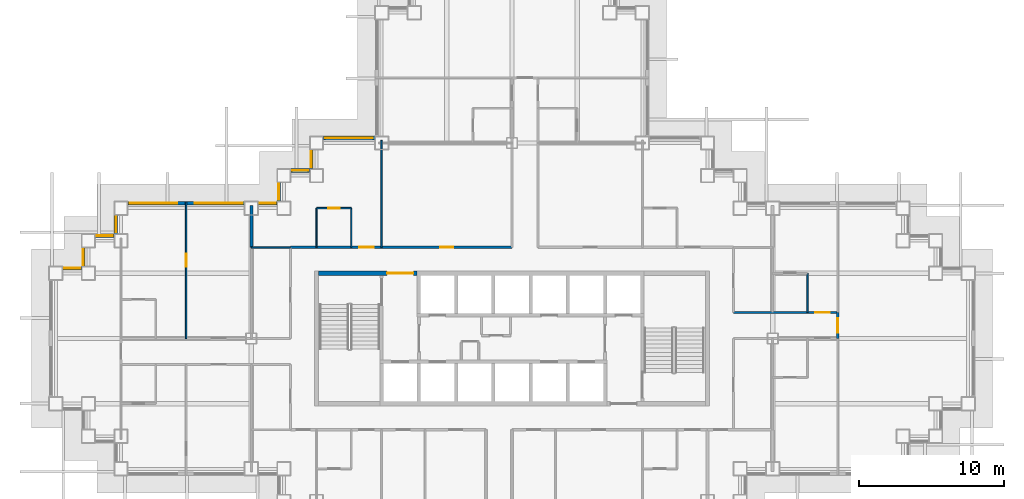
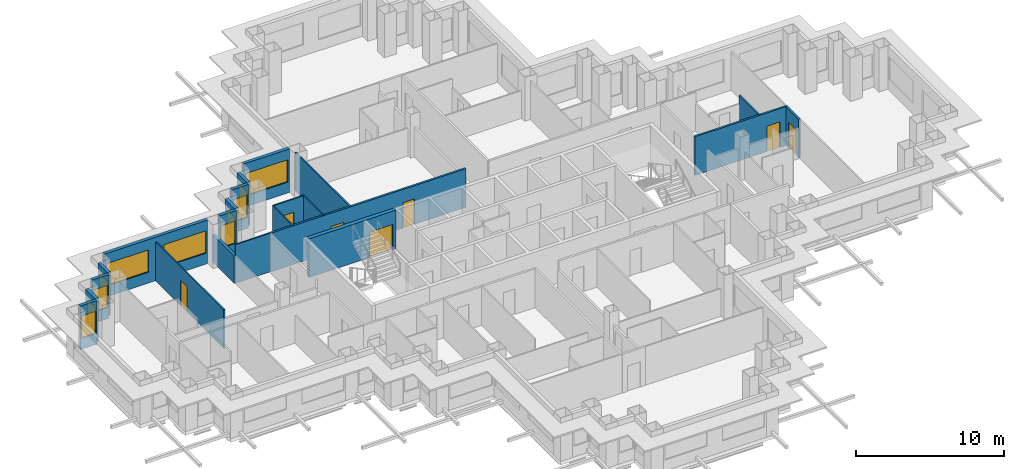
# One storey, part 7 of 15: 22 walls, 11 windows, 7 doors, 18 openings.
"""IFC4 building model written with IfcOpenShell, lengths in metres."""

from ifc_helpers import new_model, si_unit, direction, frame, frame_2d, origin, place, context, subcontext, project, spatial, rectangle, extrude, material, layer, layer_set, type_object, element, fill, save


model = new_model("IFC4")

# Units and contexts
model_context = context("Model", 3, precision=1e-05, world=origin(), true_north=direction((0.0, 1.0)))
body_context = subcontext(model_context, "Body", "Model", "MODEL_VIEW")
ifc_project = project(units=[si_unit("LENGTHUNIT", "METRE"), si_unit("AREAUNIT", "SQUARE_METRE"), si_unit("VOLUMEUNIT", "CUBIC_METRE"), si_unit("PLANEANGLEUNIT", "RADIAN"), si_unit("MASSUNIT", "GRAM", prefix="KILO")], contexts=[model_context])

# Site, building, storey
site_placement = place(None, origin())
site = spatial("IfcSite", under=ifc_project, at=site_placement, CompositionType="ELEMENT")
building_placement = place(site_placement, origin())
building = spatial("IfcBuilding", under=site, at=building_placement, Name="Caravel Reach Hotel and Residences", CompositionType="ELEMENT")
storey_placement = place(building_placement, frame((0.0, 0.0, 92.39990234375)))
storey = spatial("IfcBuildingStorey", under=building, at=storey_placement, Name="L22", CompositionType="ELEMENT", Elevation=92.39990234375)

# Wall, opening, door
ifc_material_1 = material(Name="Gypsum board on steel stud", Category="steel")
ifc_layer_1 = layer(ifc_material_1, 0.10009765625)
ifc_layer_set_1 = layer_set([ifc_layer_1], Name="Bathroom pod wall 100 mm")
wall_type_1 = type_object("IfcWallType", Name="Bathroom pod wall 100 mm", PredefinedType="PARTITIONING", material=ifc_layer_set_1)
wall_1_placement = place(storey_placement, frame((18.0, 36.0, 0.0), z_axis=(0.0, 0.0, 1.0), x_axis=(1.0, 0.0, 0.0)))
wall_1 = element("IfcWall", 1, at=wall_1_placement, inside=storey, type_object=wall_type_1, Name="L22 wall w079", PredefinedType="PARTITIONING", context=body_context, shape_type="SweptSolid", body=[
    extrude(rectangle(XDim=2.39990234375, YDim=0.10009765625, at=frame_2d((1.199951171875, 0.0))), origin(), (0.0, 0.0, 1.0), 3.2001953125),
])
opening_1_placement = place(wall_1_placement, frame((0.800048828125, 0.0, 0.0)))
opening_1 = element("IfcOpeningElement", 2, at=opening_1_placement, cuts=wall_1, Name="Opening D22-039", PredefinedType="OPENING", context=body_context, shape_type="SweptSolid", body=[
    extrude(rectangle(XDim=0.800048828125, YDim=2.10009765625, at=frame_2d((0.39990234375, 1.050048828125))), frame((0.0, 0.06005859375, 0.0), z_axis=(0.0, -1.0, 0.0), x_axis=(1.0, 0.0, 0.0)), (0.0, 0.0, 1.0), 0.1201171875),
])
ifc_material_2 = material(Name="Timber and steel door leaf", Category="steel")
door_type_1 = type_object("IfcDoorType", Name="Bathroom door 800 x 2100", OperationType="SINGLE_SWING_LEFT", PredefinedType="DOOR", material=ifc_material_2)
door_1_placement = place(opening_1_placement, origin())
door_1 = element("IfcDoor", 3, at=door_1_placement, inside=storey, type_object=door_type_1, Name="door D22-039", OperationType="SINGLE_SWING_LEFT", OverallHeight=2.10009765625, OverallWidth=0.800048828125, PredefinedType="DOOR", context=body_context, shape_type="SweptSolid", body=[
    extrude(rectangle(XDim=0.800048828125, YDim=2.10009765625, at=frame_2d((0.39990234375, 1.050048828125))), frame((0.0, 0.02490234375, 0.0), z_axis=(0.0, -1.0, 0.0), x_axis=(1.0, 0.0, 0.0)), (0.0, 0.0, 1.0), 0.050048828125),
])
fill(opening_1, door_1)

# Walls
for number, where, z_axis, x_axis, name in (
    (4, (18.0, 33.300048828125, 0.0), (0.0, 0.0, 1.0), (0.0, 1.0, 0.0), "L22 wall w083"),
    (5, (20.39990234375, 33.300048828125, 0.0), (0.0, 0.0, 1.0), (0.0, 1.0, 0.0), "L22 wall w084"),
    (6, (51.89990234375, 28.800048828125, 0.0), (0.0, 0.0, 1.0), (0.0, 1.0, 0.0), "L22 wall w092"),
):
    element("IfcWall", number, at=place(storey_placement, frame(where, z_axis=z_axis, x_axis=x_axis)), inside=storey, type_object=wall_type_1, Name=name, PredefinedType="PARTITIONING", context=body_context, shape_type="SweptSolid", body=[
        extrude(rectangle(XDim=2.699951171875, YDim=0.10009765625, at=frame_2d((1.35009765625, 0.0))), origin(), (0.0, 0.0, 1.0), 3.2001953125),
    ])

# Wall, opening, door
ifc_material_3 = material(Name="Concrete C60", Category="concrete")
ifc_layer_2 = layer(ifc_material_3, 0.300048828125)
ifc_layer_set_2 = layer_set([ifc_layer_2], Name="Core wall 300 mm EI 120")
wall_type_2 = type_object("IfcWallType", Name="Core wall 300 mm EI 120", PredefinedType="SHEAR", material=ifc_layer_set_2)
wall_2_placement = place(storey_placement, frame((18.14990234375, 31.5, 0.0), z_axis=(0.0, 0.0, 1.0), x_axis=(1.0, 0.0, 0.0)))
wall_2 = element("IfcWall", 7, at=wall_2_placement, inside=storey, type_object=wall_type_2, Name="L22 core wall N1", PredefinedType="SHEAR", context=body_context, shape_type="SweptSolid", body=[
    extrude(rectangle(XDim=6.796630859375, YDim=0.300048828125, at=frame_2d((3.3984375, 0.0))), origin(), (0.0, 0.0, 1.0), 3.2001953125),
])
opening_2_placement = place(wall_2_placement, frame((4.735595703125, 0.0, 0.0)))
opening_2 = element("IfcOpeningElement", 8, at=opening_2_placement, cuts=wall_2, Name="Opening D22-014", PredefinedType="OPENING", context=body_context, shape_type="SweptSolid", body=[
    extrude(rectangle(XDim=1.800048828125, YDim=2.10009765625, at=frame_2d((0.89990234375, 1.050048828125))), frame((0.0, 0.159912109375, 0.0), z_axis=(0.0, -1.0, 0.0), x_axis=(1.0, 0.0, 0.0)), (0.0, 0.0, 1.0), 0.320068359375),
])
ifc_material_4 = material(Name="Steel fire door leaf", Category="steel")
door_type_2 = type_object("IfcDoorType", Name="Fire lobby door pair 1800 x 2100 EI 90", OperationType="DOUBLE_DOOR_SINGLE_SWING", PredefinedType="DOOR", material=ifc_material_4)
door_2_placement = place(opening_2_placement, origin())
door_2 = element("IfcDoor", 9, at=door_2_placement, inside=storey, type_object=door_type_2, Name="lobby N door pair to corridor", OperationType="DOUBLE_DOOR_SINGLE_SWING", OverallHeight=2.10009765625, OverallWidth=1.800048828125, PredefinedType="DOOR", context=body_context, shape_type="SweptSolid", body=[
    extrude(rectangle(XDim=1.800048828125, YDim=2.10009765625, at=frame_2d((0.89990234375, 1.050048828125))), frame((0.0, 0.02490234375, 0.0), z_axis=(0.0, -1.0, 0.0), x_axis=(1.0, 0.0, 0.0)), (0.0, 0.0, 1.0), 0.050048828125),
])
fill(opening_2, door_2)

ifc_material_5 = material(Name="Gypsum board on steel stud, fire-rated", Category="steel")
ifc_layer_3 = layer(ifc_material_5, 0.14990234375)
ifc_layer_set_3 = layer_set([ifc_layer_3], Name="Corridor wall 150 mm EI 60")
wall_type_3 = type_object("IfcWallType", Name="Corridor wall 150 mm EI 60", PredefinedType="PARTITIONING", material=ifc_layer_set_3)
wall_3_placement = place(storey_placement, frame((46.800048828125, 28.800048828125, 0.0), z_axis=(0.0, 0.0, 1.0), x_axis=(1.0, 0.0, 0.0)))
wall_3 = element("IfcWall", 10, at=wall_3_placement, inside=storey, type_object=wall_type_3, Name="L22 wall w017", PredefinedType="PARTITIONING", context=body_context, shape_type="SweptSolid", body=[
    extrude(rectangle(XDim=7.199951171875, YDim=0.14990234375, at=frame_2d((3.60009765625, 0.0))), origin(), (0.0, 0.0, 1.0), 3.2001953125),
])
opening_3_placement = place(wall_3_placement, frame((5.64990234375, 0.0, 0.0)))
opening_3 = element("IfcOpeningElement", 11, at=opening_3_placement, cuts=wall_3, Name="Opening D22-024", PredefinedType="OPENING", context=body_context, shape_type="SweptSolid", body=[
    extrude(rectangle(XDim=1.0, YDim=2.10009765625, at=frame_2d((0.5, 1.050048828125))), frame((0.0, 0.0849609375, 0.0), z_axis=(0.0, -1.0, 0.0), x_axis=(1.0, 0.0, 0.0)), (0.0, 0.0, 1.0), 0.169921875),
])
ifc_material_6 = material(Name="Steel fire door leaf", Category="steel")
door_type_3 = type_object("IfcDoorType", Name="Guest room door 1000 x 2100 EI 30", OperationType="SINGLE_SWING_LEFT", PredefinedType="DOOR", material=ifc_material_6)
door_3_placement = place(opening_3_placement, origin())
door_3 = element("IfcDoor", 12, at=door_3_placement, inside=storey, type_object=door_type_3, Name="door D22-024", OperationType="SINGLE_SWING_RIGHT", OverallHeight=2.10009765625, OverallWidth=1.0, PredefinedType="DOOR", context=body_context, shape_type="SweptSolid", body=[
    extrude(rectangle(XDim=1.0, YDim=2.10009765625, at=frame_2d((0.5, 1.050048828125))), frame((0.0, 0.02490234375, 0.0), z_axis=(0.0, -1.0, 0.0), x_axis=(1.0, 0.0, 0.0)), (0.0, 0.0, 1.0), 0.050048828125),
])
fill(opening_3, door_3)

# Wall, openings, doors
wall_4_placement = place(storey_placement, frame((16.199951171875, 33.300048828125, 0.0), z_axis=(0.0, 0.0, 1.0), x_axis=(1.0, 0.0, 0.0)))
wall_4 = element("IfcWall", 13, at=wall_4_placement, inside=storey, type_object=wall_type_3, Name="L22 wall w018", PredefinedType="PARTITIONING", context=body_context, shape_type="SweptSolid", body=[
    extrude(rectangle(XDim=15.300048828125, YDim=0.14990234375, at=frame_2d((7.64990234375, 0.0))), origin(), (0.0, 0.0, 1.0), 3.2001953125),
])
opening_4_placement = place(wall_4_placement, frame((4.75, 0.0, 0.0)))
opening_4 = element("IfcOpeningElement", 14, at=opening_4_placement, cuts=wall_4, Name="Opening D22-038", PredefinedType="OPENING", context=body_context, shape_type="SweptSolid", body=[
    extrude(rectangle(XDim=1.0, YDim=2.10009765625, at=frame_2d((0.5, 1.050048828125))), frame((0.0, 0.0849609375, 0.0), z_axis=(0.0, -1.0, 0.0), x_axis=(1.0, 0.0, 0.0)), (0.0, 0.0, 1.0), 0.169921875),
])
opening_5_placement = place(wall_4_placement, frame((10.35009765625, 0.0, 0.0)))
opening_5 = element("IfcOpeningElement", 15, at=opening_5_placement, cuts=wall_4, Name="Opening D22-048", PredefinedType="OPENING", context=body_context, shape_type="SweptSolid", body=[
    extrude(rectangle(XDim=0.89990234375, YDim=2.10009765625, at=frame_2d((0.449951171875, 1.050048828125))), frame((0.0, 0.0849609375, 0.0), z_axis=(0.0, -1.0, 0.0), x_axis=(1.0, 0.0, 0.0)), (0.0, 0.0, 1.0), 0.169921875),
])
ifc_material_7 = material(Name="Timber and steel door leaf", Category="steel")
door_type_4 = type_object("IfcDoorType", Name="Door 900 x 2100 timber", OperationType="SINGLE_SWING_LEFT", PredefinedType="DOOR", material=ifc_material_7)
door_4_placement = place(opening_5_placement, origin())
door_4 = element("IfcDoor", 16, at=door_4_placement, inside=storey, type_object=door_type_4, Name="door D22-048", OperationType="SINGLE_SWING_LEFT", OverallHeight=2.10009765625, OverallWidth=0.89990234375, PredefinedType="DOOR", context=body_context, shape_type="SweptSolid", body=[
    extrude(rectangle(XDim=0.89990234375, YDim=2.10009765625, at=frame_2d((0.449951171875, 1.050048828125))), frame((0.0, 0.02490234375, 0.0), z_axis=(0.0, -1.0, 0.0), x_axis=(1.0, 0.0, 0.0)), (0.0, 0.0, 1.0), 0.050048828125),
])
fill(opening_5, door_4)
door_5_placement = place(opening_4_placement, origin())
door_5 = element("IfcDoor", 17, at=door_5_placement, inside=storey, type_object=door_type_3, Name="door D22-038", OperationType="SINGLE_SWING_RIGHT", OverallHeight=2.10009765625, OverallWidth=1.0, PredefinedType="DOOR", context=body_context, shape_type="SweptSolid", body=[
    extrude(rectangle(XDim=1.0, YDim=2.10009765625, at=frame_2d((0.5, 1.050048828125))), frame((0.0, 0.02490234375, 0.0), z_axis=(0.0, -1.0, 0.0), x_axis=(1.0, 0.0, 0.0)), (0.0, 0.0, 1.0), 0.050048828125),
])
fill(opening_4, door_5)

# Wall, opening, door
wall_5_placement = place(storey_placement, frame((54.0, 27.0, 0.0), z_axis=(0.0, 0.0, 1.0), x_axis=(0.0, 1.0, 0.0)))
wall_5 = element("IfcWall", 18, at=wall_5_placement, inside=storey, type_object=wall_type_3, Name="L22 wall w037", PredefinedType="PARTITIONING", context=body_context, shape_type="SweptSolid", body=[
    extrude(rectangle(XDim=1.800048828125, YDim=0.14990234375, at=frame_2d((0.89990234375, 0.0))), origin(), (0.0, 0.0, 1.0), 3.2001953125),
])
opening_6_placement = place(wall_5_placement, frame((0.39990234375, 0.0, 0.0)))
opening_6 = element("IfcOpeningElement", 19, at=opening_6_placement, cuts=wall_5, Name="Opening D22-035", PredefinedType="OPENING", context=body_context, shape_type="SweptSolid", body=[
    extrude(rectangle(XDim=1.0, YDim=2.10009765625, at=frame_2d((0.5, 1.050048828125))), frame((0.0, 0.0849609375, 0.0), z_axis=(0.0, -1.0, 0.0), x_axis=(1.0, 0.0, 0.0)), (0.0, 0.0, 1.0), 0.169921875),
])
door_6_placement = place(opening_6_placement, origin())
door_6 = element("IfcDoor", 20, at=door_6_placement, inside=storey, type_object=door_type_3, Name="door D22-035", OperationType="SINGLE_SWING_LEFT", OverallHeight=2.10009765625, OverallWidth=1.0, PredefinedType="DOOR", context=body_context, shape_type="SweptSolid", body=[
    extrude(rectangle(XDim=1.0, YDim=2.10009765625, at=frame_2d((0.5, 1.050048828125))), frame((0.0, 0.02490234375, 0.0), z_axis=(0.0, -1.0, 0.0), x_axis=(1.0, 0.0, 0.0)), (0.0, 0.0, 1.0), 0.050048828125),
])
fill(opening_6, door_6)

# Wall, opening, window
ifc_material_8 = material(Name="Insulated rainscreen wall, aluminium cladding", Category="aluminium")
ifc_layer_4 = layer(ifc_material_8, 0.25)
ifc_layer_set_4 = layer_set([ifc_layer_4], Name="EW1 Tower rainscreen wall")
wall_type_4 = type_object("IfcWallType", Name="EW1 Tower rainscreen wall", PredefinedType="SOLIDWALL", material=ifc_layer_set_4)
wall_6_placement = place(storey_placement, frame((22.02490234375, 40.85009765625, 0.0), z_axis=(0.0, 0.0, 1.0), x_axis=(-1.0, 0.0, 0.0)))
wall_6 = element("IfcWall", 21, at=wall_6_placement, inside=storey, type_object=wall_type_4, Name="External wall L22 N41.1", PredefinedType="SOLIDWALL", context=body_context, shape_type="SweptSolid", body=[
    extrude(rectangle(XDim=3.5498046875, YDim=0.25, at=frame_2d((1.77490234375, 0.0))), origin(), (0.0, 0.0, 1.0), 3.60009765625),
])
opening_7_placement = place(wall_6_placement, frame((0.125, 0.0, 0.89990234375)))
opening_7 = element("IfcOpeningElement", 22, at=opening_7_placement, cuts=wall_6, Name="Opening WN7", PredefinedType="OPENING", context=body_context, shape_type="SweptSolid", body=[
    extrude(rectangle(XDim=3.300048828125, YDim=1.85009765625, at=frame_2d((1.64990234375, 0.925048828125))), frame((0.0, 0.135009765625, 0.0), z_axis=(0.0, -1.0, 0.0), x_axis=(1.0, 0.0, 0.0)), (0.0, 0.0, 1.0), 0.27001953125),
])
ifc_material_9 = material(Name="Dark low-e glazing in black aluminium frame", Category="aluminium")
window_type_1 = type_object("IfcWindowType", Name="Hotel guest room window 3300 x 1850", PartitioningType="SINGLE_PANEL", PredefinedType="WINDOW", material=ifc_material_9)
window_1_placement = place(opening_7_placement, origin())
window_1 = element("IfcWindow", 23, at=window_1_placement, inside=storey, type_object=window_type_1, Name="Window L22 N41.1.1", OverallHeight=1.85009765625, OverallWidth=3.300048828125, PartitioningType="SINGLE_PANEL", PredefinedType="WINDOW", context=body_context, shape_type="SweptSolid", body=[
    extrude(rectangle(XDim=3.300048828125, YDim=1.85009765625, at=frame_2d((1.64990234375, 0.925048828125))), frame((0.0, 0.030029296875, 0.0), z_axis=(0.0, -1.0, 0.0), x_axis=(1.0, 0.0, 0.0)), (0.0, 0.0, 1.0), 0.06005859375),
])
fill(opening_7, window_1)

wall_7_placement = place(storey_placement, frame((17.64990234375, 40.02490234375, 0.0), z_axis=(0.0, 0.0, 1.0), x_axis=(0.0, -1.0, 0.0)))
wall_7 = element("IfcWall", 24, at=wall_7_placement, inside=storey, type_object=wall_type_4, Name="External wall L22 W42.1", PredefinedType="SOLIDWALL", context=body_context, shape_type="SweptSolid", body=[
    extrude(rectangle(XDim=1.2998046875, YDim=0.25, at=frame_2d((0.64990234375, 0.0))), origin(), (0.0, 0.0, 1.0), 3.60009765625),
])
opening_8_placement = place(wall_7_placement, frame((0.10009765625, 0.0, 0.89990234375)))
opening_8 = element("IfcOpeningElement", 25, at=opening_8_placement, cuts=wall_7, Name="Opening WN6", PredefinedType="OPENING", context=body_context, shape_type="SweptSolid", body=[
    extrude(rectangle(XDim=1.10009765625, YDim=1.85009765625, at=frame_2d((0.550048828125, 0.925048828125))), frame((0.0, 0.135009765625, 0.0), z_axis=(0.0, -1.0, 0.0), x_axis=(1.0, 0.0, 0.0)), (0.0, 0.0, 1.0), 0.27001953125),
])
ifc_material_10 = material(Name="Dark low-e glazing in black aluminium frame", Category="aluminium")
window_type_2 = type_object("IfcWindowType", Name="Hotel suite corner window 1100 x 1850", PartitioningType="SINGLE_PANEL", PredefinedType="WINDOW", material=ifc_material_10)
window_2_placement = place(opening_8_placement, origin())
window_2 = element("IfcWindow", 26, at=window_2_placement, inside=storey, type_object=window_type_2, Name="Window L22 W42.1.1", OverallHeight=1.85009765625, OverallWidth=1.10009765625, PartitioningType="SINGLE_PANEL", PredefinedType="WINDOW", context=body_context, shape_type="SweptSolid", body=[
    extrude(rectangle(XDim=1.10009765625, YDim=1.85009765625, at=frame_2d((0.550048828125, 0.925048828125))), frame((0.0, 0.030029296875, 0.0), z_axis=(0.0, -1.0, 0.0), x_axis=(1.0, 0.0, 0.0)), (0.0, 0.0, 1.0), 0.06005859375),
])
fill(opening_8, window_2)

wall_8_placement = place(storey_placement, frame((17.52490234375, 38.60009765625, 0.0), z_axis=(0.0, 0.0, 1.0), x_axis=(-1.0, 0.0, 0.0)))
wall_8 = element("IfcWall", 27, at=wall_8_placement, inside=storey, type_object=wall_type_4, Name="External wall L22 N43.1", PredefinedType="SOLIDWALL", context=body_context, shape_type="SweptSolid", body=[
    extrude(rectangle(XDim=1.2998046875, YDim=0.25, at=frame_2d((0.64990234375, 0.0))), origin(), (0.0, 0.0, 1.0), 3.60009765625),
])
opening_9_placement = place(wall_8_placement, frame((0.10009765625, 0.0, 0.89990234375)))
opening_9 = element("IfcOpeningElement", 28, at=opening_9_placement, cuts=wall_8, Name="Opening WN6", PredefinedType="OPENING", context=body_context, shape_type="SweptSolid", body=[
    extrude(rectangle(XDim=1.10009765625, YDim=1.85009765625, at=frame_2d((0.550048828125, 0.925048828125))), frame((0.0, 0.135009765625, 0.0), z_axis=(0.0, -1.0, 0.0), x_axis=(1.0, 0.0, 0.0)), (0.0, 0.0, 1.0), 0.27001953125),
])
window_3_placement = place(opening_9_placement, origin())
window_3 = element("IfcWindow", 29, at=window_3_placement, inside=storey, type_object=window_type_2, Name="Window L22 N43.1.1", OverallHeight=1.85009765625, OverallWidth=1.10009765625, PartitioningType="SINGLE_PANEL", PredefinedType="WINDOW", context=body_context, shape_type="SweptSolid", body=[
    extrude(rectangle(XDim=1.10009765625, YDim=1.85009765625, at=frame_2d((0.550048828125, 0.925048828125))), frame((0.0, 0.030029296875, 0.0), z_axis=(0.0, -1.0, 0.0), x_axis=(1.0, 0.0, 0.0)), (0.0, 0.0, 1.0), 0.06005859375),
])
fill(opening_9, window_3)

wall_9_placement = place(storey_placement, frame((15.39990234375, 37.77490234375, 0.0), z_axis=(0.0, 0.0, 1.0), x_axis=(0.0, -1.0, 0.0)))
wall_9 = element("IfcWall", 30, at=wall_9_placement, inside=storey, type_object=wall_type_4, Name="External wall L22 W44.1", PredefinedType="SOLIDWALL", context=body_context, shape_type="SweptSolid", body=[
    extrude(rectangle(XDim=1.2998046875, YDim=0.25, at=frame_2d((0.64990234375, 0.0))), origin(), (0.0, 0.0, 1.0), 3.60009765625),
])
opening_10_placement = place(wall_9_placement, frame((0.10009765625, 0.0, 0.89990234375)))
opening_10 = element("IfcOpeningElement", 31, at=opening_10_placement, cuts=wall_9, Name="Opening WN6", PredefinedType="OPENING", context=body_context, shape_type="SweptSolid", body=[
    extrude(rectangle(XDim=1.10009765625, YDim=1.85009765625, at=frame_2d((0.550048828125, 0.925048828125))), frame((0.0, 0.135009765625, 0.0), z_axis=(0.0, -1.0, 0.0), x_axis=(1.0, 0.0, 0.0)), (0.0, 0.0, 1.0), 0.27001953125),
])
window_4_placement = place(opening_10_placement, origin())
window_4 = element("IfcWindow", 32, at=window_4_placement, inside=storey, type_object=window_type_2, Name="Window L22 W44.1.1", OverallHeight=1.85009765625, OverallWidth=1.10009765625, PartitioningType="SINGLE_PANEL", PredefinedType="WINDOW", context=body_context, shape_type="SweptSolid", body=[
    extrude(rectangle(XDim=1.10009765625, YDim=1.85009765625, at=frame_2d((0.550048828125, 0.925048828125))), frame((0.0, 0.030029296875, 0.0), z_axis=(0.0, -1.0, 0.0), x_axis=(1.0, 0.0, 0.0)), (0.0, 0.0, 1.0), 0.06005859375),
])
fill(opening_10, window_4)

wall_10_placement = place(storey_placement, frame((15.27490234375, 36.35009765625, 0.0), z_axis=(0.0, 0.0, 1.0), x_axis=(-1.0, 0.0, 0.0)))
wall_10 = element("IfcWall", 33, at=wall_10_placement, inside=storey, type_object=wall_type_4, Name="External wall L22 N45.1", PredefinedType="SOLIDWALL", context=body_context, shape_type="SweptSolid", body=[
    extrude(rectangle(XDim=1.2998046875, YDim=0.25, at=frame_2d((0.64990234375, 0.0))), origin(), (0.0, 0.0, 1.0), 3.60009765625),
])
opening_11_placement = place(wall_10_placement, frame((0.10009765625, 0.0, 0.89990234375)))
opening_11 = element("IfcOpeningElement", 34, at=opening_11_placement, cuts=wall_10, Name="Opening WN6", PredefinedType="OPENING", context=body_context, shape_type="SweptSolid", body=[
    extrude(rectangle(XDim=1.10009765625, YDim=1.85009765625, at=frame_2d((0.550048828125, 0.925048828125))), frame((0.0, 0.135009765625, 0.0), z_axis=(0.0, -1.0, 0.0), x_axis=(1.0, 0.0, 0.0)), (0.0, 0.0, 1.0), 0.27001953125),
])
window_5_placement = place(opening_11_placement, origin())
window_5 = element("IfcWindow", 35, at=window_5_placement, inside=storey, type_object=window_type_2, Name="Window L22 N45.1.1", OverallHeight=1.85009765625, OverallWidth=1.10009765625, PartitioningType="SINGLE_PANEL", PredefinedType="WINDOW", context=body_context, shape_type="SweptSolid", body=[
    extrude(rectangle(XDim=1.10009765625, YDim=1.85009765625, at=frame_2d((0.550048828125, 0.925048828125))), frame((0.0, 0.030029296875, 0.0), z_axis=(0.0, -1.0, 0.0), x_axis=(1.0, 0.0, 0.0)), (0.0, 0.0, 1.0), 0.06005859375),
])
fill(opening_11, window_5)

# Wall, openings, windows
wall_11_placement = place(storey_placement, frame((13.02490234375, 36.35009765625, 0.0), z_axis=(0.0, 0.0, 1.0), x_axis=(-1.0, 0.0, 0.0)))
wall_11 = element("IfcWall", 36, at=wall_11_placement, inside=storey, type_object=wall_type_4, Name="External wall L22 N45.2", PredefinedType="SOLIDWALL", context=body_context, shape_type="SweptSolid", body=[
    extrude(rectangle(XDim=8.0498046875, YDim=0.25, at=frame_2d((4.02490234375, 0.0))), origin(), (0.0, 0.0, 1.0), 3.60009765625),
])
opening_12_placement = place(wall_11_placement, frame((0.125, 0.0, 0.89990234375)))
opening_12 = element("IfcOpeningElement", 37, at=opening_12_placement, cuts=wall_11, Name="Opening WN7", PredefinedType="OPENING", context=body_context, shape_type="SweptSolid", body=[
    extrude(rectangle(XDim=3.300048828125, YDim=1.85009765625, at=frame_2d((1.64990234375, 0.925048828125))), frame((0.0, 0.135009765625, 0.0), z_axis=(0.0, -1.0, 0.0), x_axis=(1.0, 0.0, 0.0)), (0.0, 0.0, 1.0), 0.27001953125),
])
opening_13_placement = place(wall_11_placement, frame((4.625, 0.0, 0.89990234375)))
opening_13 = element("IfcOpeningElement", 38, at=opening_13_placement, cuts=wall_11, Name="Opening WN7", PredefinedType="OPENING", context=body_context, shape_type="SweptSolid", body=[
    extrude(rectangle(XDim=3.300048828125, YDim=1.85009765625, at=frame_2d((1.64990234375, 0.925048828125))), frame((0.0, 0.135009765625, 0.0), z_axis=(0.0, -1.0, 0.0), x_axis=(1.0, 0.0, 0.0)), (0.0, 0.0, 1.0), 0.27001953125),
])
window_6_placement = place(opening_12_placement, origin())
window_6 = element("IfcWindow", 39, at=window_6_placement, inside=storey, type_object=window_type_1, Name="Window L22 N45.2.1", OverallHeight=1.85009765625, OverallWidth=3.300048828125, PartitioningType="SINGLE_PANEL", PredefinedType="WINDOW", context=body_context, shape_type="SweptSolid", body=[
    extrude(rectangle(XDim=3.300048828125, YDim=1.85009765625, at=frame_2d((1.64990234375, 0.925048828125))), frame((0.0, 0.030029296875, 0.0), z_axis=(0.0, -1.0, 0.0), x_axis=(1.0, 0.0, 0.0)), (0.0, 0.0, 1.0), 0.06005859375),
])
fill(opening_12, window_6)
window_7_placement = place(opening_13_placement, origin())
window_7 = element("IfcWindow", 40, at=window_7_placement, inside=storey, type_object=window_type_1, Name="Window L22 N45.2.2", OverallHeight=1.85009765625, OverallWidth=3.300048828125, PartitioningType="SINGLE_PANEL", PredefinedType="WINDOW", context=body_context, shape_type="SweptSolid", body=[
    extrude(rectangle(XDim=3.300048828125, YDim=1.85009765625, at=frame_2d((1.64990234375, 0.925048828125))), frame((0.0, 0.030029296875, 0.0), z_axis=(0.0, -1.0, 0.0), x_axis=(1.0, 0.0, 0.0)), (0.0, 0.0, 1.0), 0.06005859375),
])
fill(opening_13, window_7)

# Wall, opening, window
wall_12_placement = place(storey_placement, frame((4.14990234375, 35.52490234375, 0.0), z_axis=(0.0, 0.0, 1.0), x_axis=(0.0, -1.0, 0.0)))
wall_12 = element("IfcWall", 41, at=wall_12_placement, inside=storey, type_object=wall_type_4, Name="External wall L22 W46.1", PredefinedType="SOLIDWALL", context=body_context, shape_type="SweptSolid", body=[
    extrude(rectangle(XDim=1.2998046875, YDim=0.25, at=frame_2d((0.64990234375, 0.0))), origin(), (0.0, 0.0, 1.0), 3.60009765625),
])
opening_14_placement = place(wall_12_placement, frame((0.10009765625, 0.0, 0.89990234375)))
opening_14 = element("IfcOpeningElement", 42, at=opening_14_placement, cuts=wall_12, Name="Opening WN6", PredefinedType="OPENING", context=body_context, shape_type="SweptSolid", body=[
    extrude(rectangle(XDim=1.10009765625, YDim=1.85009765625, at=frame_2d((0.550048828125, 0.925048828125))), frame((0.0, 0.135009765625, 0.0), z_axis=(0.0, -1.0, 0.0), x_axis=(1.0, 0.0, 0.0)), (0.0, 0.0, 1.0), 0.27001953125),
])
window_8_placement = place(opening_14_placement, origin())
window_8 = element("IfcWindow", 43, at=window_8_placement, inside=storey, type_object=window_type_2, Name="Window L22 W46.1.1", OverallHeight=1.85009765625, OverallWidth=1.10009765625, PartitioningType="SINGLE_PANEL", PredefinedType="WINDOW", context=body_context, shape_type="SweptSolid", body=[
    extrude(rectangle(XDim=1.10009765625, YDim=1.85009765625, at=frame_2d((0.550048828125, 0.925048828125))), frame((0.0, 0.030029296875, 0.0), z_axis=(0.0, -1.0, 0.0), x_axis=(1.0, 0.0, 0.0)), (0.0, 0.0, 1.0), 0.06005859375),
])
fill(opening_14, window_8)

wall_13_placement = place(storey_placement, frame((4.02490234375, 34.10009765625, 0.0), z_axis=(0.0, 0.0, 1.0), x_axis=(-1.0, 0.0, 0.0)))
wall_13 = element("IfcWall", 44, at=wall_13_placement, inside=storey, type_object=wall_type_4, Name="External wall L22 N47.1", PredefinedType="SOLIDWALL", context=body_context, shape_type="SweptSolid", body=[
    extrude(rectangle(XDim=1.2998046875, YDim=0.25, at=frame_2d((0.64990234375, 0.0))), origin(), (0.0, 0.0, 1.0), 3.60009765625),
])
opening_15_placement = place(wall_13_placement, frame((0.10009765625, 0.0, 0.89990234375)))
opening_15 = element("IfcOpeningElement", 45, at=opening_15_placement, cuts=wall_13, Name="Opening WN6", PredefinedType="OPENING", context=body_context, shape_type="SweptSolid", body=[
    extrude(rectangle(XDim=1.10009765625, YDim=1.85009765625, at=frame_2d((0.550048828125, 0.925048828125))), frame((0.0, 0.135009765625, 0.0), z_axis=(0.0, -1.0, 0.0), x_axis=(1.0, 0.0, 0.0)), (0.0, 0.0, 1.0), 0.27001953125),
])
window_9_placement = place(opening_15_placement, origin())
window_9 = element("IfcWindow", 46, at=window_9_placement, inside=storey, type_object=window_type_2, Name="Window L22 N47.1.1", OverallHeight=1.85009765625, OverallWidth=1.10009765625, PartitioningType="SINGLE_PANEL", PredefinedType="WINDOW", context=body_context, shape_type="SweptSolid", body=[
    extrude(rectangle(XDim=1.10009765625, YDim=1.85009765625, at=frame_2d((0.550048828125, 0.925048828125))), frame((0.0, 0.030029296875, 0.0), z_axis=(0.0, -1.0, 0.0), x_axis=(1.0, 0.0, 0.0)), (0.0, 0.0, 1.0), 0.06005859375),
])
fill(opening_15, window_9)

wall_14_placement = place(storey_placement, frame((1.89990234375, 33.27490234375, 0.0), z_axis=(0.0, 0.0, 1.0), x_axis=(0.0, -1.0, 0.0)))
wall_14 = element("IfcWall", 47, at=wall_14_placement, inside=storey, type_object=wall_type_4, Name="External wall L22 W48.1", PredefinedType="SOLIDWALL", context=body_context, shape_type="SweptSolid", body=[
    extrude(rectangle(XDim=1.2998046875, YDim=0.25, at=frame_2d((0.64990234375, 0.0))), origin(), (0.0, 0.0, 1.0), 3.60009765625),
])
opening_16_placement = place(wall_14_placement, frame((0.10009765625, 0.0, 0.89990234375)))
opening_16 = element("IfcOpeningElement", 48, at=opening_16_placement, cuts=wall_14, Name="Opening WN6", PredefinedType="OPENING", context=body_context, shape_type="SweptSolid", body=[
    extrude(rectangle(XDim=1.10009765625, YDim=1.85009765625, at=frame_2d((0.550048828125, 0.925048828125))), frame((0.0, 0.135009765625, 0.0), z_axis=(0.0, -1.0, 0.0), x_axis=(1.0, 0.0, 0.0)), (0.0, 0.0, 1.0), 0.27001953125),
])
window_10_placement = place(opening_16_placement, origin())
window_10 = element("IfcWindow", 49, at=window_10_placement, inside=storey, type_object=window_type_2, Name="Window L22 W48.1.1", OverallHeight=1.85009765625, OverallWidth=1.10009765625, PartitioningType="SINGLE_PANEL", PredefinedType="WINDOW", context=body_context, shape_type="SweptSolid", body=[
    extrude(rectangle(XDim=1.10009765625, YDim=1.85009765625, at=frame_2d((0.550048828125, 0.925048828125))), frame((0.0, 0.030029296875, 0.0), z_axis=(0.0, -1.0, 0.0), x_axis=(1.0, 0.0, 0.0)), (0.0, 0.0, 1.0), 0.06005859375),
])
fill(opening_16, window_10)

wall_15_placement = place(storey_placement, frame((1.77490234375, 31.85009765625, 0.0), z_axis=(0.0, 0.0, 1.0), x_axis=(-1.0, 0.0, 0.0)))
wall_15 = element("IfcWall", 50, at=wall_15_placement, inside=storey, type_object=wall_type_4, Name="External wall L22 N49.1", PredefinedType="SOLIDWALL", context=body_context, shape_type="SweptSolid", body=[
    extrude(rectangle(XDim=1.2998046875, YDim=0.25, at=frame_2d((0.64990234375, 0.0))), origin(), (0.0, 0.0, 1.0), 3.60009765625),
])
opening_17_placement = place(wall_15_placement, frame((0.10009765625, 0.0, 0.89990234375)))
opening_17 = element("IfcOpeningElement", 51, at=opening_17_placement, cuts=wall_15, Name="Opening WN6", PredefinedType="OPENING", context=body_context, shape_type="SweptSolid", body=[
    extrude(rectangle(XDim=1.10009765625, YDim=1.85009765625, at=frame_2d((0.550048828125, 0.925048828125))), frame((0.0, 0.135009765625, 0.0), z_axis=(0.0, -1.0, 0.0), x_axis=(1.0, 0.0, 0.0)), (0.0, 0.0, 1.0), 0.27001953125),
])
window_11_placement = place(opening_17_placement, origin())
window_11 = element("IfcWindow", 52, at=window_11_placement, inside=storey, type_object=window_type_2, Name="Window L22 N49.1.1", OverallHeight=1.85009765625, OverallWidth=1.10009765625, PartitioningType="SINGLE_PANEL", PredefinedType="WINDOW", context=body_context, shape_type="SweptSolid", body=[
    extrude(rectangle(XDim=1.10009765625, YDim=1.85009765625, at=frame_2d((0.550048828125, 0.925048828125))), frame((0.0, 0.030029296875, 0.0), z_axis=(0.0, -1.0, 0.0), x_axis=(1.0, 0.0, 0.0)), (0.0, 0.0, 1.0), 0.06005859375),
])
fill(opening_17, window_11)

# Walls
ifc_material_11 = material(Name="Gypsum board on steel stud", Category="steel")
ifc_layer_5 = layer(ifc_material_11, 0.10009765625)
ifc_layer_set_5 = layer_set([ifc_layer_5], Name="Partition 100 mm")
wall_type_5 = type_object("IfcWallType", Name="Partition 100 mm", PredefinedType="PARTITIONING", material=ifc_layer_set_5)
wall_16_placement = place(storey_placement, frame((13.5, 33.300048828125, 0.0), z_axis=(0.0, 0.0, 1.0), x_axis=(1.0, 0.0, 0.0)))
element("IfcWall", 53, at=wall_16_placement, inside=storey, type_object=wall_type_5, Name="L22 wall w043", PredefinedType="PARTITIONING", context=body_context, shape_type="SweptSolid", body=[
    extrude(rectangle(XDim=2.699951171875, YDim=0.10009765625, at=frame_2d((1.35009765625, 0.0))), origin(), (0.0, 0.0, 1.0), 3.2001953125),
])
wall_17_placement = place(storey_placement, frame((22.5, 33.300048828125, 0.0), z_axis=(0.0, 0.0, 1.0), x_axis=(0.0, 1.0, 0.0)))
element("IfcWall", 54, at=wall_17_placement, inside=storey, type_object=wall_type_5, Name="L22 wall w055", PredefinedType="PARTITIONING", context=body_context, shape_type="SweptSolid", body=[
    extrude(rectangle(XDim=7.389892578125, YDim=0.10009765625, at=frame_2d((3.69482421875, 0.0))), origin(), (0.0, 0.0, 1.0), 3.2001953125),
])

# Wall, opening, door
wall_18_placement = place(storey_placement, frame((9.0, 27.0, 0.0), z_axis=(0.0, 0.0, 1.0), x_axis=(0.0, 1.0, 0.0)))
wall_18 = element("IfcWall", 55, at=wall_18_placement, inside=storey, type_object=wall_type_5, Name="L22 wall w067", PredefinedType="PARTITIONING", context=body_context, shape_type="SweptSolid", body=[
    extrude(rectangle(XDim=9.4150390625, YDim=0.10009765625, at=frame_2d((4.70751953125, 0.0))), origin(), (0.0, 0.0, 1.0), 3.2001953125),
])
opening_18_placement = place(wall_18_placement, frame((4.949951171875, 0.0, 0.0)))
opening_18 = element("IfcOpeningElement", 56, at=opening_18_placement, cuts=wall_18, Name="Opening D22-020", PredefinedType="OPENING", context=body_context, shape_type="SweptSolid", body=[
    extrude(rectangle(XDim=0.89990234375, YDim=2.10009765625, at=frame_2d((0.449951171875, 1.050048828125))), frame((0.0, 0.06005859375, 0.0), z_axis=(0.0, -1.0, 0.0), x_axis=(1.0, 0.0, 0.0)), (0.0, 0.0, 1.0), 0.1201171875),
])
door_7_placement = place(opening_18_placement, origin())
door_7 = element("IfcDoor", 57, at=door_7_placement, inside=storey, type_object=door_type_4, Name="door D22-020", OperationType="SINGLE_SWING_RIGHT", OverallHeight=2.10009765625, OverallWidth=0.89990234375, PredefinedType="DOOR", context=body_context, shape_type="SweptSolid", body=[
    extrude(rectangle(XDim=0.89990234375, YDim=2.10009765625, at=frame_2d((0.449951171875, 1.050048828125))), frame((0.0, 0.02490234375, 0.0), z_axis=(0.0, -1.0, 0.0), x_axis=(1.0, 0.0, 0.0)), (0.0, 0.0, 1.0), 0.050048828125),
])
fill(opening_18, door_7)

# Wall
ifc_material_12 = material(Name="Autoclaved aerated block wall")
ifc_layer_6 = layer(ifc_material_12, 0.199951171875)
ifc_layer_set_6 = layer_set([ifc_layer_6], Name="Party wall 200 mm EI 60")
wall_type_6 = type_object("IfcWallType", Name="Party wall 200 mm EI 60", PredefinedType="PARTITIONING", material=ifc_layer_set_6)
wall_19_placement = place(storey_placement, frame((13.5, 33.300048828125, 0.0), z_axis=(0.0, 0.0, 1.0), x_axis=(0.0, 1.0, 0.0)))
element("IfcWall", 58, at=wall_19_placement, inside=storey, type_object=wall_type_6, Name="L22 wall w069", PredefinedType="PARTITIONING", context=body_context, shape_type="SweptSolid", body=[
    extrude(rectangle(XDim=2.889892578125, YDim=0.199951171875, at=frame_2d((1.44482421875, 0.0))), origin(), (0.0, 0.0, 1.0), 2.280029296875),
])

save(model, "model.ifc")
